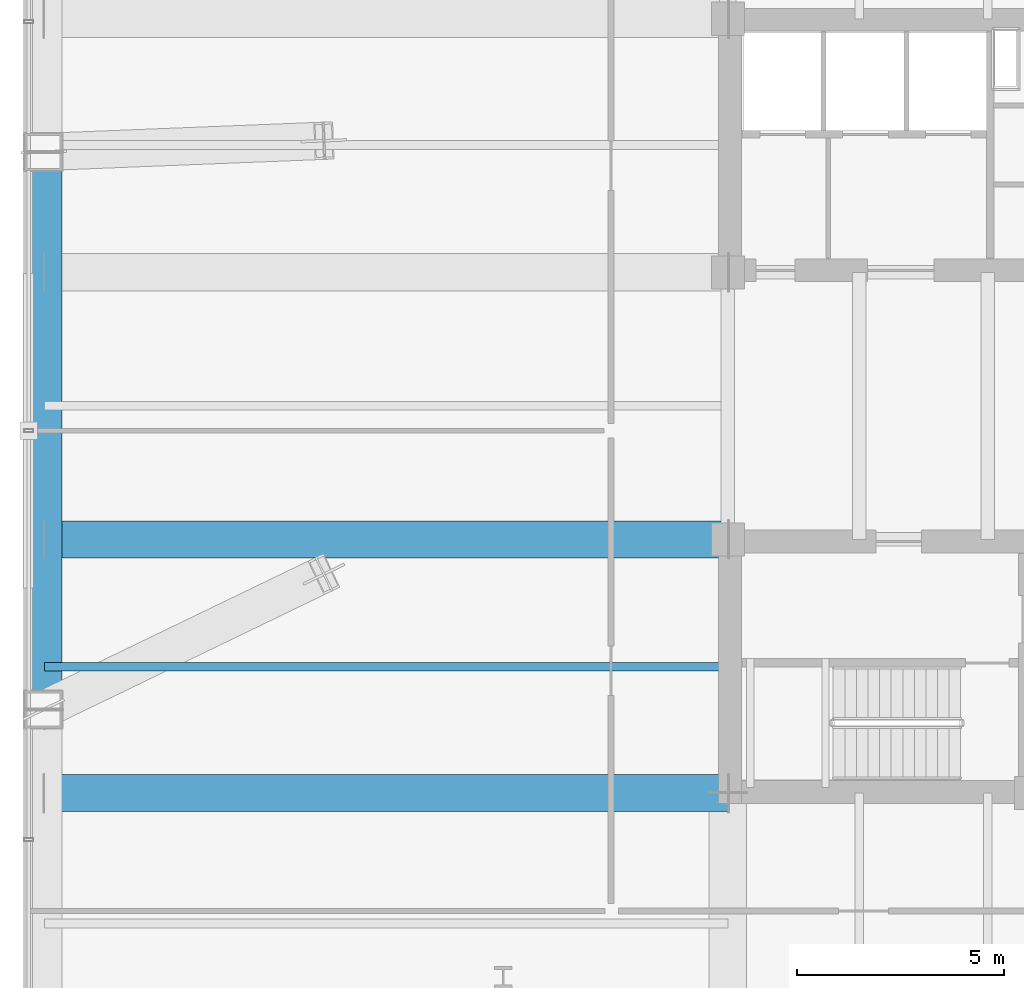
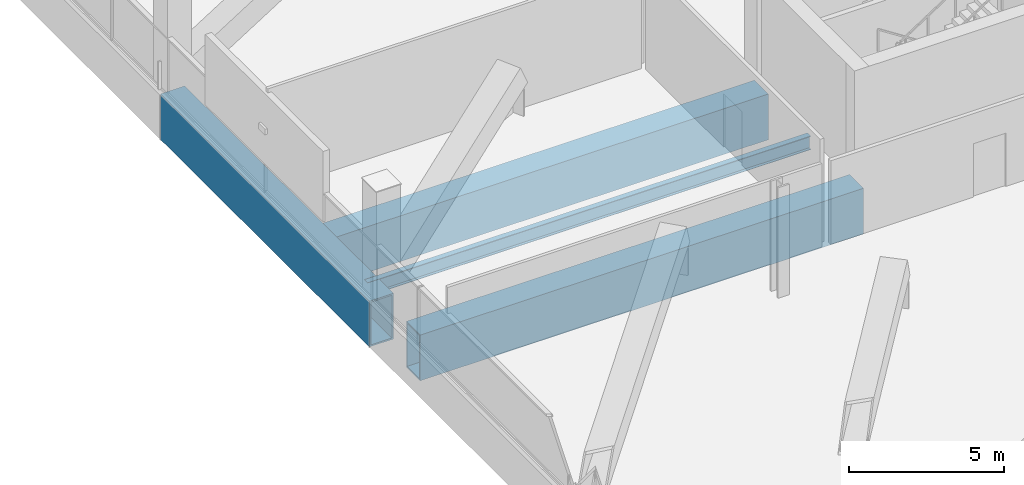
# One storey, part 7 of 38: 4 beams.
"""IFC4 building model written with IfcOpenShell, lengths in metres."""

from ifc_helpers import new_model, si_unit, direction, frame, origin, origin_2d, place, context, subcontext, project, spatial, hollow_rectangle, i_section, extrude, material, material_profile, profile_set, type_object, element, save


model = new_model("IFC4")

# Units and contexts
model_context = context("Model", 3, precision=1e-05, world=origin(), true_north=direction((0.0, 1.0)))
body_context = subcontext(model_context, "Body", "Model", "MODEL_VIEW")
ifc_project = project(units=[si_unit("LENGTHUNIT", "METRE"), si_unit("AREAUNIT", "SQUARE_METRE"), si_unit("VOLUMEUNIT", "CUBIC_METRE"), si_unit("PLANEANGLEUNIT", "RADIAN"), si_unit("MASSUNIT", "GRAM", prefix="KILO")], contexts=[model_context])

# Site, building, storey
site_placement = place(None, origin())
site = spatial("IfcSite", under=ifc_project, at=site_placement, CompositionType="ELEMENT")
building_placement = place(site_placement, origin())
building = spatial("IfcBuilding", under=site, at=building_placement, Name="Qhalaya Broadcast Tower", CompositionType="ELEMENT")
storey_placement = place(building_placement, frame((0.0, 0.0, 53.550048828125)))
storey = spatial("IfcBuildingStorey", under=building, at=storey_placement, Name="L15", CompositionType="ELEMENT", Elevation=53.550048828125)

# Beams
ifc_material_1 = material(Name="Structural Steel ASTM A572 Grade 50", Category="steel")
ifc_material_profile_1 = material_profile(ifc_material_1, hollow_rectangle(XDim=0.89990234375, YDim=1.800048828125, WallThickness=0.06005859375, at=origin_2d()), Name="BOX 900x1800x60")
ifc_profile_set_1 = profile_set([ifc_material_profile_1], Name="Structural Steel ASTM A572 Grade 50")
beam_type_1 = type_object("IfcBeamType", Name="Block Cantilever Transfer Box Girder TG1", PredefinedType="USERDEFINED", material=ifc_profile_set_1)
beam_1_placement = place(storey_placement, frame((-25.89990234375, 6.7333984375, -1.1201171875), z_axis=(0.0, -1.0, 0.0), x_axis=(1.0, 0.0, 0.0)))
element("IfcBeam", 1, at=beam_1_placement, inside=storey, type_object=beam_type_1, Name="L15 TG1 L15-SPR-14", ObjectType="GIRDER", PredefinedType="USERDEFINED", context=body_context, shape_type="SweptSolid", body=[
    extrude(hollow_rectangle(XDim=0.89990234375, YDim=1.800048828125, WallThickness=0.06005859375, at=origin_2d()), origin(), (0.0, 0.0, 1.0), 13.466796875),
])
for number, where, z_axis, x_axis, name in (
    (2, (-25.8798828125, -8.75, -1.1201171875), (1.0, 0.0, 0.0), (0.0, 1.0, 0.0), "L15 TG1 L15-PGYW1-1"),
    (3, (-25.8798828125, -2.625, -1.1201171875), (1.0, 0.0, 0.0), (0.0, 1.0, 0.0), "L15 TG1 L15-PGYW2-1"),
):
    element("IfcBeam", number, at=place(storey_placement, frame(where, z_axis=z_axis, x_axis=x_axis)), inside=storey, type_object=beam_type_1, Name=name, ObjectType="GIRDER", PredefinedType="USERDEFINED", context=body_context, shape_type="SweptSolid", body=[
        extrude(hollow_rectangle(XDim=0.89990234375, YDim=1.800048828125, WallThickness=0.06005859375, at=origin_2d()), origin(), (0.0, 0.0, 1.0), 16.5048828125),
    ])
ifc_material_2 = material(Name="Structural Steel ASTM A992 Grade 50", Category="steel")
ifc_material_profile_2 = material_profile(ifc_material_2, i_section(OverallWidth=0.2099609375, OverallDepth=0.535888671875, WebThickness=0.010986328125, FlangeThickness=0.017333984375, at=origin_2d()), Name="W21X68")
ifc_profile_set_2 = profile_set([ifc_material_profile_2], Name="Structural Steel ASTM A992 Grade 50")
beam_type_2 = type_object("IfcBeamType", Name="Composite Floor Joist J02", PredefinedType="JOIST", material=ifc_profile_set_2)
beam_2_placement = place(storey_placement, frame((-25.8798828125, -5.699951171875, -0.488037109375), z_axis=(1.0, 0.0, 0.0), x_axis=(0.0, 1.0, 0.0)))
element("IfcBeam", 4, at=beam_2_placement, inside=storey, type_object=beam_type_2, Name="L15 J02 L15-JWE3W-1", PredefinedType="JOIST", context=body_context, shape_type="SweptSolid", body=[
    extrude(i_section(OverallWidth=0.2099609375, OverallDepth=0.535888671875, WebThickness=0.010986328125, FlangeThickness=0.017333984375, at=origin_2d()), origin(), (0.0, 0.0, 1.0), 16.5048828125),
])

save(model, "model.ifc")
